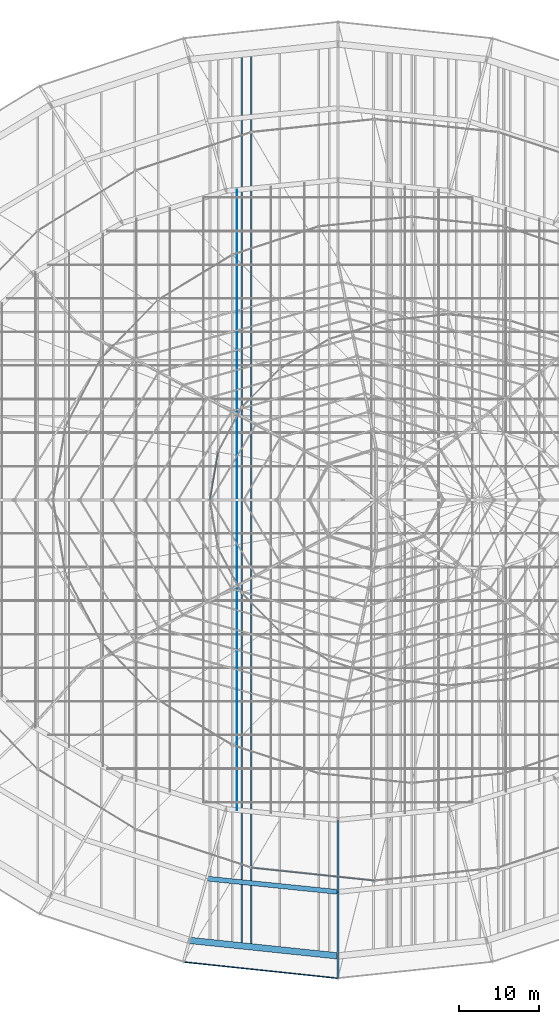
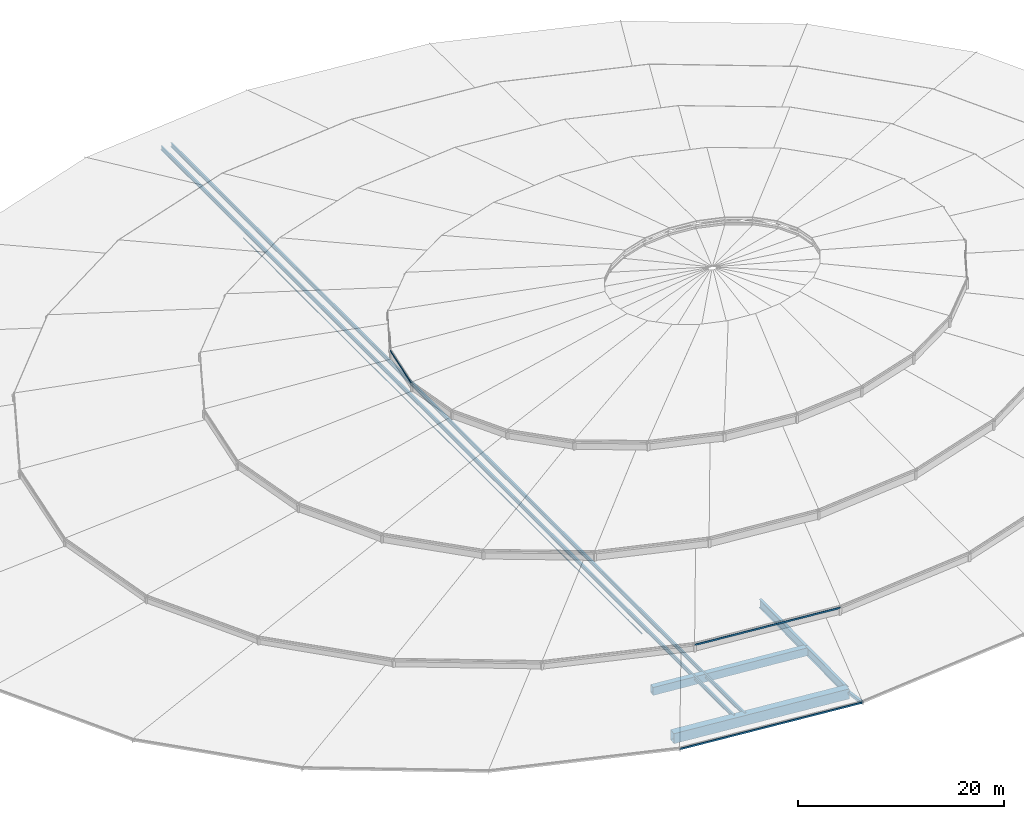
# One storey, part 32 of 184: 7 members, 4 beams.
"""IFC4 building model written with IfcOpenShell, lengths in metres."""

from ifc_helpers import new_model, si_unit, direction, frame, origin, origin_2d, place, context, subcontext, project, spatial, hollow_rectangle, circle, i_section, extrude, material, material_profile, profile_set, type_object, element, save


model = new_model("IFC4")

# Units and contexts
model_context = context("Model", 3, precision=1e-05, world=origin(), true_north=direction((0.0, 1.0)))
body_context = subcontext(model_context, "Body", "Model", "MODEL_VIEW")
ifc_project = project(units=[si_unit("LENGTHUNIT", "METRE"), si_unit("AREAUNIT", "SQUARE_METRE"), si_unit("VOLUMEUNIT", "CUBIC_METRE"), si_unit("PLANEANGLEUNIT", "RADIAN"), si_unit("MASSUNIT", "GRAM", prefix="KILO")], contexts=[model_context])

# Site, building, storey
site_placement = place(None, origin())
site = spatial("IfcSite", under=ifc_project, at=site_placement, CompositionType="ELEMENT")
building_placement = place(site_placement, origin())
building = spatial("IfcBuilding", under=site, at=building_placement, Name="Kalgoora Escarpment Arena", CompositionType="ELEMENT")
storey_placement = place(building_placement, frame((0.0, 0.0, 27.60009765625)))
storey = spatial("IfcBuildingStorey", under=building, at=storey_placement, Name="Roof Level", CompositionType="ELEMENT", Elevation=27.60009765625)

# Beams
ifc_material_1 = material(Name="Structural steel Grade 350 (350 MPa)", Category="steel")
ifc_material_profile_1 = material_profile(ifc_material_1, hollow_rectangle(XDim=0.800048828125, YDim=1.199951171875, WallThickness=0.031982421875, at=origin_2d()))
ifc_profile_set_1 = profile_set([ifc_material_profile_1], Name="Structural steel Grade 350 (350 MPa)")
beam_type_1 = type_object("IfcBeamType", Name="BM-RING-BOX1200", PredefinedType="USERDEFINED", material=ifc_profile_set_1)
beam_1_placement = place(storey_placement, frame((73.81689453125, 8.942138671875, -1.4501953125), z_axis=(0.994583005347, -0.103945396599, 0.0), x_axis=(0.103945396599, 0.994583005347, 0.0)))
element("IfcBeam", 1, at=beam_1_placement, inside=storey, type_object=beam_type_1, Name="Outer perimeter compression RING BEAM chord 18", ObjectType="GIRDER", PredefinedType="USERDEFINED", context=body_context, shape_type="SweptSolid", body=[
    extrude(hollow_rectangle(XDim=0.800048828125, YDim=1.199951171875, WallThickness=0.031982421875, at=origin_2d()), origin(), (0.0, 0.0, 1.0), 18.684326171875),
])
ifc_material_2 = material(Name="Structural steel Grade 350 (350 MPa)", Category="steel")
ifc_material_profile_2 = material_profile(ifc_material_2, hollow_rectangle(XDim=0.60009765625, YDim=0.949951171875, WallThickness=0.02490234375, at=origin_2d()))
ifc_profile_set_2 = profile_set([ifc_material_profile_2], Name="Structural steel Grade 350 (350 MPa)")
beam_type_2 = type_object("IfcBeamType", Name="BM-RING-BOX950", PredefinedType="USERDEFINED", material=ifc_profile_set_2)
beam_2_placement = place(storey_placement, frame((75.990966796875, 16.669677734375, -1.35009765625), z_axis=(0.994862901278, -0.10123145589, 0.0), x_axis=(0.10123145589, 0.994862901278, 0.0)))
element("IfcBeam", 2, at=beam_2_placement, inside=storey, type_object=beam_type_2, Name="Concourse roof RING BEAM chord 18", ObjectType="GIRDER", PredefinedType="USERDEFINED", context=body_context, shape_type="SweptSolid", body=[
    extrude(hollow_rectangle(XDim=0.60009765625, YDim=0.949951171875, WallThickness=0.02490234375, at=origin_2d()), origin(), (0.0, 0.0, 1.0), 16.49365234375),
])
ifc_material_3 = material(Name="Structural steel Grade 350 (350 MPa)", Category="steel")
ifc_material_profile_3 = material_profile(ifc_material_3, i_section(OverallWidth=0.300048828125, OverallDepth=1.010009765625, WebThickness=0.01611328125, FlangeThickness=0.030029296875, at=origin_2d()))
ifc_profile_set_3 = profile_set([ifc_material_profile_3], Name="Structural steel Grade 350 (350 MPa)")
beam_type_3 = type_object("IfcBeamType", Name="BM-TRUSS-CHORD", PredefinedType="USERDEFINED", material=ifc_profile_set_3)
beam_3_placement = place(storey_placement, frame((92.39990234375, 7.0, -1.400146484375), z_axis=(0.0, 0.999921731527, 0.01251122772), x_axis=(-1.0, 0.0, 0.0)))
element("IfcBeam", 3, at=beam_3_placement, inside=storey, type_object=beam_type_3, Name="Outer radial petal support girder R19", ObjectType="GIRDER", PredefinedType="USERDEFINED", context=body_context, shape_type="SweptSolid", body=[
    extrude(i_section(OverallWidth=0.300048828125, OverallDepth=1.010009765625, WebThickness=0.01611328125, FlangeThickness=0.030029296875, at=origin_2d()), origin(), (0.0, 0.0, 1.0), 8.000732421875),
])
beam_4_placement = place(storey_placement, frame((92.39990234375, 15.0, -1.300048828125), z_axis=(0.0, 0.999938457999, 0.011094152271), x_axis=(-1.0, 0.0, 0.0)))
element("IfcBeam", 4, at=beam_4_placement, inside=storey, type_object=beam_type_3, Name="Inner radial petal support girder R19", ObjectType="GIRDER", PredefinedType="USERDEFINED", context=body_context, shape_type="SweptSolid", body=[
    extrude(i_section(OverallWidth=0.300048828125, OverallDepth=1.010009765625, WebThickness=0.01611328125, FlangeThickness=0.030029296875, at=origin_2d()), origin(), (0.0, 0.0, 1.0), 9.00048828125),
])

# Members
ifc_material_4 = material(Name="High-tensile spiral strand steel Grade 450 (350 MPa)", Category="steel")
ifc_material_profile_4 = material_profile(ifc_material_4, circle(Radius=0.035888671875, at=origin_2d()))
ifc_profile_set_4 = profile_set([ifc_material_profile_4], Name="High-tensile spiral strand steel Grade 450 (350 MPa)")
member_type_1 = type_object("IfcMemberType", Name="MEM-CABLE-72", PredefinedType="USERDEFINED", material=ifc_profile_set_4)
member_1_placement = place(storey_placement, frame((79.800048828125, 25.228759765625, -1.190185546875), z_axis=(0.0, 1.0, 0.0), x_axis=(-1.0, 0.0, 0.0)))
element("IfcMember", 5, at=member_1_placement, inside=storey, type_object=member_type_1, Name="Roof saddle pretensioning cable Y-28", ObjectType="CABLE", PredefinedType="USERDEFINED", context=body_context, shape_type="SweptSolid", body=[
    extrude(circle(Radius=0.035888671875, at=origin_2d()), origin(), (0.0, 0.0, 1.0), 77.54248046875),
])
ifc_material_5 = material(Name="Structural steel AS/NZS 3679 (300 MPa)", Category="steel")
ifc_material_profile_5 = material_profile(ifc_material_5, i_section(OverallWidth=0.19091796875, OverallDepth=0.4599609375, WebThickness=0.010009765625, FlangeThickness=0.01611328125, at=origin_2d()))
ifc_profile_set_5 = profile_set([ifc_material_profile_5], Name="Structural steel AS/NZS 3679 (300 MPa)")
member_type_2 = type_object("IfcMemberType", Name="MEM-CARRIER-CHORD", PredefinedType="CHORD", material=ifc_profile_set_5)
member_2_placement = place(storey_placement, frame((81.574462890625, 8.13134765625, -1.080078125), z_axis=(0.0, 1.0, 0.0), x_axis=(-1.0, 0.0, 0.0)))
element("IfcMember", 6, at=member_2_placement, inside=storey, type_object=member_type_2, Name="Petal RP2 spanning carrier chord C08", PredefinedType="CHORD", context=body_context, shape_type="SweptSolid", body=[
    extrude(i_section(OverallWidth=0.19091796875, OverallDepth=0.4599609375, WebThickness=0.010009765625, FlangeThickness=0.01611328125, at=origin_2d()), origin(), (0.0, 0.0, 1.0), 111.7373046875),
])
member_3_placement = place(storey_placement, frame((80.392333984375, 8.2548828125, -0.960205078125), z_axis=(0.0, 1.0, 0.0), x_axis=(-1.0, 0.0, 0.0)))
element("IfcMember", 7, at=member_3_placement, inside=storey, type_object=member_type_2, Name="Petal RP4 spanning carrier chord C11", PredefinedType="CHORD", context=body_context, shape_type="SweptSolid", body=[
    extrude(i_section(OverallWidth=0.19091796875, OverallDepth=0.4599609375, WebThickness=0.010009765625, FlangeThickness=0.01611328125, at=origin_2d()), origin(), (0.0, 0.0, 1.0), 111.490234375),
])
ifc_material_6 = material(Name="Structural steel C350 (350 MPa)", Category="steel")
ifc_material_profile_6 = material_profile(ifc_material_6, hollow_rectangle(XDim=0.10009765625, YDim=0.199951171875, WallThickness=0.009033203125, at=origin_2d()))
ifc_profile_set_6 = profile_set([ifc_material_profile_6], Name="Structural steel C350 (350 MPa)")
member_type_3 = type_object("IfcMemberType", Name="MEM-PURLIN-RHS", PredefinedType="PURLIN", material=ifc_profile_set_6)
member_4_placement = place(storey_placement, frame((73.092041015625, 6.237548828125, -1.02001953125), z_axis=(0.994477580957, -0.104949230457, 0.0), x_axis=(0.104949230457, 0.994477580957, 0.0)))
element("IfcMember", 8, at=member_4_placement, inside=storey, type_object=member_type_3, Name="Petal RP1 eave support ring purlin S18", PredefinedType="PURLIN", context=body_context, shape_type="SweptSolid", body=[
    extrude(hollow_rectangle(XDim=0.10009765625, YDim=0.199951171875, WallThickness=0.009033203125, at=origin_2d()), origin(), (0.0, 0.0, 1.0), 19.4150390625),
])
member_5_placement = place(storey_placement, frame((81.574462890625, 18.02197265625, 1.244873046875), z_axis=(0.994516659455, -0.104578267658, 0.0), x_axis=(0.104578267658, 0.994516659455, 0.0)))
element("IfcMember", 9, at=member_5_placement, inside=storey, type_object=member_type_3, Name="Petal RP2 eave support ring purlin S18", PredefinedType="PURLIN", context=body_context, shape_type="SweptSolid", body=[
    extrude(hollow_rectangle(XDim=0.10009765625, YDim=0.199951171875, WallThickness=0.009033203125, at=origin_2d()), origin(), (0.0, 0.0, 1.0), 15.510498046875),
])
member_6_placement = place(storey_placement, frame((77.415283203125, 70.004638671875, 6.125), z_axis=(-0.166732388344, -0.986002185939, 0.0), x_axis=(0.986002185939, -0.166732388344, 0.0)))
element("IfcMember", 10, at=member_6_placement, inside=storey, type_object=member_type_3, Name="Petal RP4 eave support ring purlin S12", PredefinedType="PURLIN", context=body_context, shape_type="SweptSolid", body=[
    extrude(hollow_rectangle(XDim=0.10009765625, YDim=0.199951171875, WallThickness=0.009033203125, at=origin_2d()), origin(), (0.0, 0.0, 1.0), 6.08984375),
])
ifc_material_7 = material(Name="Structural steel C450 (450 MPa)", Category="steel")
ifc_material_profile_7 = material_profile(ifc_material_7, hollow_rectangle(XDim=0.300048828125, YDim=0.300048828125, WallThickness=0.012451171875, at=origin_2d()))
ifc_profile_set_7 = profile_set([ifc_material_profile_7], Name="Structural steel C450 (450 MPa)")
member_type_4 = type_object("IfcMemberType", Name="MEM-TRUSS-POST", PredefinedType="POST", material=ifc_profile_set_7)
member_7_placement = place(storey_placement, frame((92.39990234375, 7.0, -1.400146484375), z_axis=(0.0, -0.98994258731, 0.141469692266), x_axis=(1.0, 0.0, 0.0)))
element("IfcMember", 11, at=member_7_placement, inside=storey, type_object=member_type_4, Name="Petal RP1 eave strut S19", PredefinedType="POST", context=body_context, shape_type="SweptSolid", body=[
    extrude(hollow_rectangle(XDim=0.300048828125, YDim=0.300048828125, WallThickness=0.012451171875, at=origin_2d()), origin(), (0.0, 0.0, 1.0), 2.82861328125),
])

save(model, "model.ifc")
